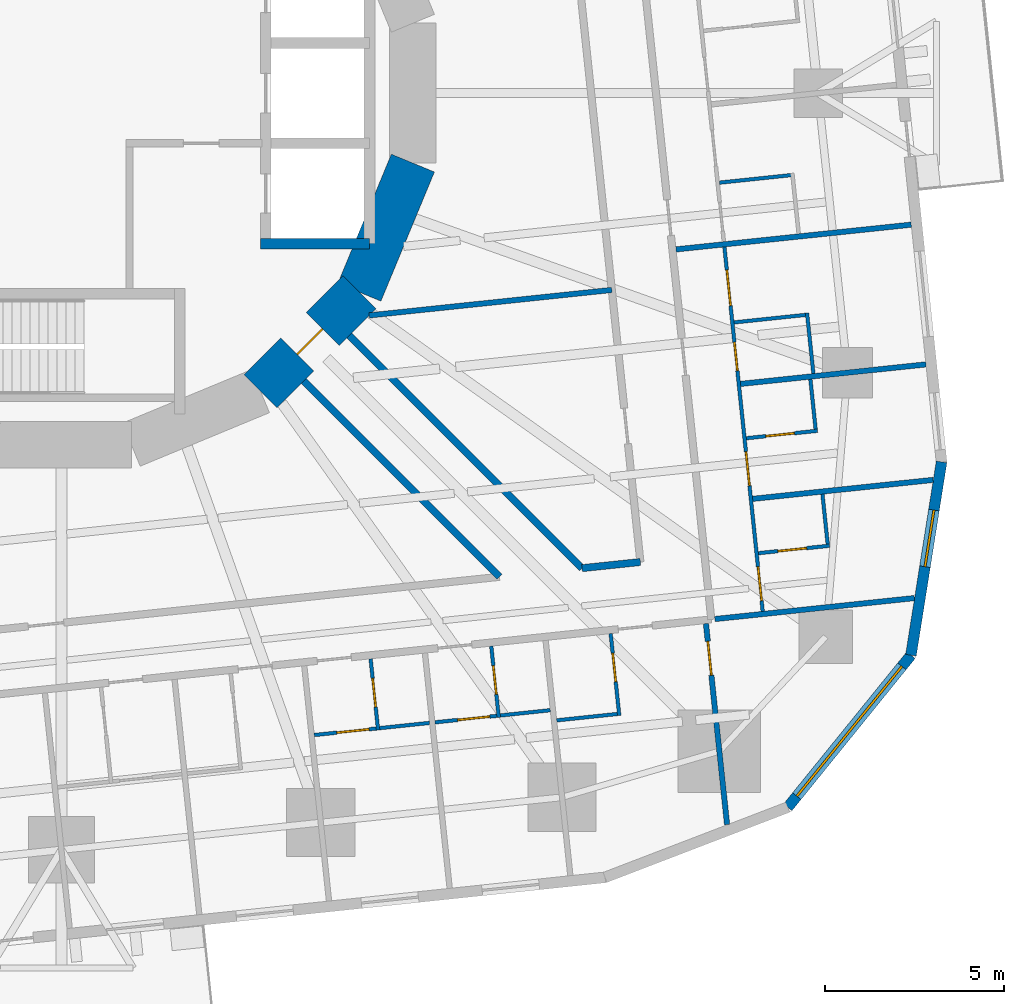
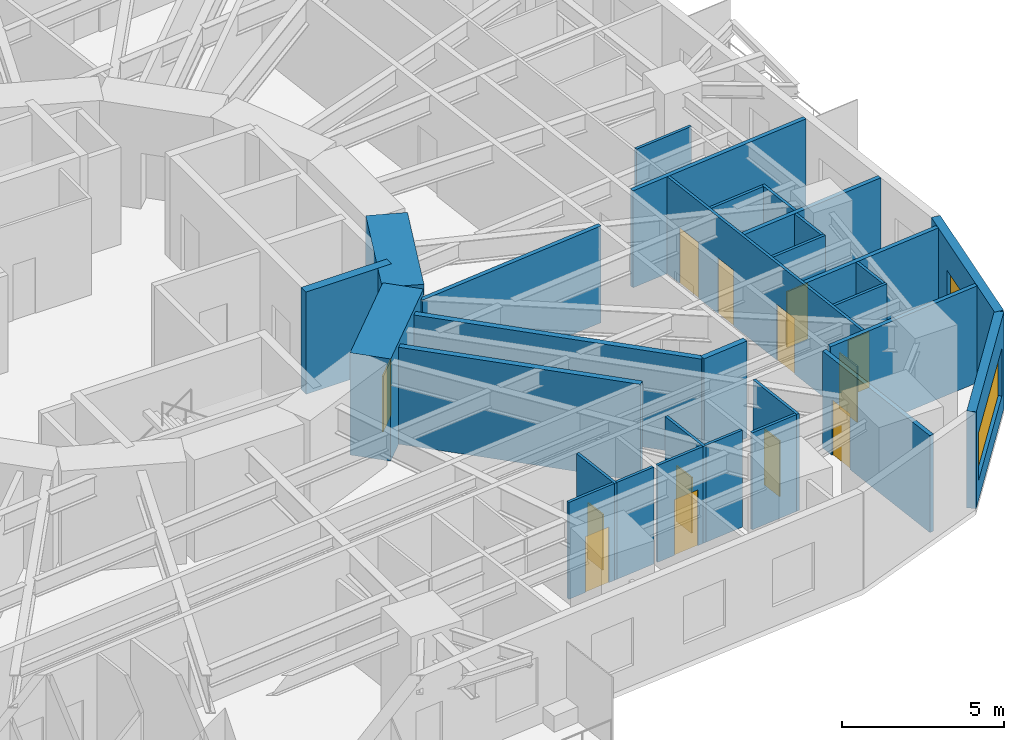
# One storey, part 8 of 15: 30 walls, 13 doors, 2 windows, 15 openings.
"""IFC4 building model written with IfcOpenShell, lengths in metres."""

from ifc_helpers import new_model, si_unit, direction, frame, frame_2d, origin, place, context, subcontext, project, spatial, rectangle, extrude, material, layer, layer_set, type_object, element, fill, save


model = new_model("IFC4")

# Units and contexts
model_context = context("Model", 3, precision=1e-05, world=origin(), true_north=direction((0.0, 1.0)))
body_context = subcontext(model_context, "Body", "Model", "MODEL_VIEW")
ifc_project = project(units=[si_unit("LENGTHUNIT", "METRE"), si_unit("AREAUNIT", "SQUARE_METRE"), si_unit("VOLUMEUNIT", "CUBIC_METRE"), si_unit("PLANEANGLEUNIT", "RADIAN"), si_unit("MASSUNIT", "GRAM", prefix="KILO")], contexts=[model_context])

# Site, building, storey
site_placement = place(None, origin())
site = spatial("IfcSite", under=ifc_project, at=site_placement, CompositionType="ELEMENT")
building_placement = place(site_placement, origin())
building = spatial("IfcBuilding", under=site, at=building_placement, Name="Nakasero Lantern House", CompositionType="ELEMENT")
storey_placement = place(building_placement, frame((0.0, 0.0, 68.199951171875)))
storey = spatial("IfcBuildingStorey", under=building, at=storey_placement, Name="L16", CompositionType="ELEMENT", Elevation=68.199951171875)

# Wall, openings, doors
ifc_material_1 = material(Name="Blockwork", Category="masonry")
ifc_layer_1 = layer(ifc_material_1, 0.10009765625)
ifc_layer_set_1 = layer_set([ifc_layer_1], Name="Cluster hall wall 100")
wall_type_1 = type_object("IfcWallType", Name="Cluster hall wall 100", PredefinedType="PARTITIONING", material=ifc_layer_set_1)
wall_1_placement = place(storey_placement, frame((19.568603515625, -14.458740234375, 0.0), z_axis=(0.0, 0.0, 1.0), x_axis=(-0.104541804513, 0.994520493056, 0.0)))
wall_1 = element("IfcWall", 1, at=wall_1_placement, inside=storey, type_object=wall_type_1, Name="Cluster hall wall L16 HW0-0", PredefinedType="PARTITIONING", context=body_context, shape_type="SweptSolid", body=[
    extrude(rectangle(XDim=10.2216796875, YDim=0.10009765625, at=frame_2d((5.11083984375, 0.0))), origin(), (0.0, 0.0, 1.0), 3.650146484375),
])
opening_1_placement = place(wall_1_placement, frame((8.57568359375, 0.0, 0.0)))
opening_1 = element("IfcOpeningElement", 2, at=opening_1_placement, cuts=wall_1, Name="Opening D03", PredefinedType="OPENING", context=body_context, shape_type="SweptSolid", body=[
    extrude(rectangle(XDim=1.0, YDim=2.10009765625, at=frame_2d((0.5, 1.050048828125))), frame((0.0, 0.070068359375, 0.0), z_axis=(0.0, -1.0, 0.0), x_axis=(1.0, 0.0, 0.0)), (0.0, 0.0, 1.0), 0.14013671875),
])
opening_2_placement = place(wall_1_placement, frame((6.75048828125, 0.0, 0.0)))
opening_2 = element("IfcOpeningElement", 3, at=opening_2_placement, cuts=wall_1, Name="Opening D02", PredefinedType="OPENING", context=body_context, shape_type="SweptSolid", body=[
    extrude(rectangle(XDim=0.800048828125, YDim=2.10009765625, at=frame_2d((0.39990234375, 1.050048828125))), frame((0.0, 0.070068359375, 0.0), z_axis=(0.0, -1.0, 0.0), x_axis=(1.0, 0.0, 0.0)), (0.0, 0.0, 1.0), 0.14013671875),
])
opening_3_placement = place(wall_1_placement, frame((0.300048828125, 0.0, 0.0)))
opening_3 = element("IfcOpeningElement", 4, at=opening_3_placement, cuts=wall_1, Name="Opening D01", PredefinedType="OPENING", context=body_context, shape_type="SweptSolid", body=[
    extrude(rectangle(XDim=0.949951171875, YDim=2.10009765625, at=frame_2d((0.47509765625, 1.050048828125))), frame((0.0, 0.070068359375, 0.0), z_axis=(0.0, -1.0, 0.0), x_axis=(1.0, 0.0, 0.0)), (0.0, 0.0, 1.0), 0.14013671875),
])
opening_4_placement = place(wall_1_placement, frame((3.525390625, 0.0, 0.0)))
opening_4 = element("IfcOpeningElement", 5, at=opening_4_placement, cuts=wall_1, Name="Opening D01", PredefinedType="OPENING", context=body_context, shape_type="SweptSolid", body=[
    extrude(rectangle(XDim=0.949951171875, YDim=2.10009765625, at=frame_2d((0.47509765625, 1.050048828125))), frame((0.0, 0.070068359375, 0.0), z_axis=(0.0, -1.0, 0.0), x_axis=(1.0, 0.0, 0.0)), (0.0, 0.0, 1.0), 0.14013671875),
])
ifc_material_2 = material(Name="Timber C24", Category="wood")
door_type_1 = type_object("IfcDoorType", Name="Bedroom door FD30S 950", OperationType="SINGLE_SWING_LEFT", PredefinedType="DOOR", material=ifc_material_2)
door_1_placement = place(opening_3_placement, origin())
door_1 = element("IfcDoor", 6, at=door_1_placement, inside=storey, type_object=door_type_1, Name="Door L16 D0-00", OperationType="SINGLE_SWING_LEFT", OverallHeight=2.10009765625, OverallWidth=0.949951171875, PredefinedType="DOOR", context=body_context, shape_type="SweptSolid", body=[
    extrude(rectangle(XDim=0.949951171875, YDim=2.10009765625, at=frame_2d((0.47509765625, 1.050048828125))), frame((0.0, 0.02490234375, 0.0), z_axis=(0.0, -1.0, 0.0), x_axis=(1.0, 0.0, 0.0)), (0.0, 0.0, 1.0), 0.050048828125),
])
fill(opening_3, door_1)
door_2_placement = place(opening_4_placement, origin())
door_2 = element("IfcDoor", 7, at=door_2_placement, inside=storey, type_object=door_type_1, Name="Door L16 D0-01", OperationType="SINGLE_SWING_LEFT", OverallHeight=2.10009765625, OverallWidth=0.949951171875, PredefinedType="DOOR", context=body_context, shape_type="SweptSolid", body=[
    extrude(rectangle(XDim=0.949951171875, YDim=2.10009765625, at=frame_2d((0.47509765625, 1.050048828125))), frame((0.0, 0.02490234375, 0.0), z_axis=(0.0, -1.0, 0.0), x_axis=(1.0, 0.0, 0.0)), (0.0, 0.0, 1.0), 0.050048828125),
])
fill(opening_4, door_2)
ifc_material_3 = material(Name="Timber C24", Category="wood")
door_type_2 = type_object("IfcDoorType", Name="En-suite door 800", OperationType="SINGLE_SWING_RIGHT", PredefinedType="DOOR", material=ifc_material_3)
door_3_placement = place(opening_2_placement, origin())
door_3 = element("IfcDoor", 8, at=door_3_placement, inside=storey, type_object=door_type_2, Name="Door L16 DSH0-0", OperationType="SINGLE_SWING_RIGHT", OverallHeight=2.10009765625, OverallWidth=0.800048828125, PredefinedType="DOOR", context=body_context, shape_type="SweptSolid", body=[
    extrude(rectangle(XDim=0.800048828125, YDim=2.10009765625, at=frame_2d((0.39990234375, 1.050048828125))), frame((0.0, 0.02490234375, 0.0), z_axis=(0.0, -1.0, 0.0), x_axis=(1.0, 0.0, 0.0)), (0.0, 0.0, 1.0), 0.050048828125),
])
fill(opening_2, door_3)
ifc_material_4 = material(Name="Timber C24", Category="wood")
door_type_3 = type_object("IfcDoorType", Name="Lounge door FD30S 1000", OperationType="SINGLE_SWING_LEFT", PredefinedType="DOOR", material=ifc_material_4)
door_4_placement = place(opening_1_placement, origin())
door_4 = element("IfcDoor", 9, at=door_4_placement, inside=storey, type_object=door_type_3, Name="Door L16 DH0-0", OperationType="SINGLE_SWING_RIGHT", OverallHeight=2.10009765625, OverallWidth=1.0, PredefinedType="DOOR", context=body_context, shape_type="SweptSolid", body=[
    extrude(rectangle(XDim=1.0, YDim=2.10009765625, at=frame_2d((0.5, 1.050048828125))), frame((0.0, 0.02490234375, 0.0), z_axis=(0.0, -1.0, 0.0), x_axis=(1.0, 0.0, 0.0)), (0.0, 0.0, 1.0), 0.050048828125),
])
fill(opening_1, door_4)

# Wall
ifc_material_5 = material(Name="Concrete C50/60", Category="concrete")
ifc_layer_2 = layer(ifc_material_5, 0.300048828125)
ifc_layer_set_2 = layer_set([ifc_layer_2], Name="Core inner wall 300")
wall_type_2 = type_object("IfcWallType", Name="Core inner wall 300", PredefinedType="SHEAR", material=ifc_layer_set_2)
wall_2_placement = place(storey_placement, frame((5.550048828125, -4.199951171875, 0.0), z_axis=(0.0, 0.0, 1.0), x_axis=(1.0, 0.0, 0.0)))
element("IfcWall", 10, at=wall_2_placement, inside=storey, type_object=wall_type_2, Name="Core inner wall L16 LES", PredefinedType="SHEAR", context=body_context, shape_type="SweptSolid", body=[
    extrude(rectangle(XDim=3.050048828125, YDim=0.300048828125, at=frame_2d((1.52490234375, 0.0))), origin(), (0.0, 0.0, 1.0), 3.85009765625),
])

# Wall, opening, door
ifc_material_6 = material(Name="Concrete C50/60", Category="concrete")
ifc_layer_3 = layer(ifc_material_6, 1.300048828125)
ifc_layer_set_3 = layer_set([ifc_layer_3], Name="Core wall 1300")
wall_type_3 = type_object("IfcWallType", Name="Core wall 1300", PredefinedType="SHEAR", material=ifc_layer_set_3)
wall_3_placement = place(storey_placement, frame((5.5556640625, -8.314697265625, 0.0), z_axis=(0.0, 0.0, 1.0), x_axis=(0.707106781187, 0.707106781187, 0.0)))
wall_3 = element("IfcWall", 11, at=wall_3_placement, inside=storey, type_object=wall_type_3, Name="Core wall L16 facet 14", PredefinedType="SHEAR", context=body_context, shape_type="SweptSolid", body=[
    extrude(rectangle(XDim=3.90185546875, YDim=1.300048828125, at=frame_2d((1.950927734375, 0.0))), origin(), (0.0, 0.0, 1.0), 3.85009765625),
])
opening_5_placement = place(wall_3_placement, frame((1.450927734375, 0.0, 0.0)))
opening_5 = element("IfcOpeningElement", 12, at=opening_5_placement, cuts=wall_3, Name="Opening D05", PredefinedType="OPENING", context=body_context, shape_type="SweptSolid", body=[
    extrude(rectangle(XDim=1.0, YDim=2.10009765625, at=frame_2d((0.5, 1.050048828125))), frame((0.0, 0.669921875, 0.0), z_axis=(0.0, -1.0, 0.0), x_axis=(1.0, 0.0, 0.0)), (0.0, 0.0, 1.0), 1.340087890625),
])
ifc_material_7 = material(Name="Timber C24", Category="wood")
door_type_4 = type_object("IfcDoorType", Name="Core door FD60S 1000", OperationType="SINGLE_SWING_LEFT", PredefinedType="DOOR", material=ifc_material_7)
door_5_placement = place(opening_5_placement, origin())
door_5 = element("IfcDoor", 13, at=door_5_placement, inside=storey, type_object=door_type_4, Name="Door L16 D-CORE14", OperationType="SINGLE_SWING_LEFT", OverallHeight=2.10009765625, OverallWidth=1.0, PredefinedType="DOOR", context=body_context, shape_type="SweptSolid", body=[
    extrude(rectangle(XDim=1.0, YDim=2.10009765625, at=frame_2d((0.5, 1.050048828125))), frame((0.0, 0.02490234375, 0.0), z_axis=(0.0, -1.0, 0.0), x_axis=(1.0, 0.0, 0.0)), (0.0, 0.0, 1.0), 0.050048828125),
])
fill(opening_5, door_5)

# Walls
wall_4_placement = place(storey_placement, frame((8.314697265625, -5.5556640625, 0.0), z_axis=(0.0, 0.0, 1.0), x_axis=(0.382690736062, 0.923876507187, 0.0)))
element("IfcWall", 14, at=wall_4_placement, inside=storey, type_object=wall_type_3, Name="Core wall L16 facet 15", PredefinedType="SHEAR", context=body_context, shape_type="SweptSolid", body=[
    extrude(rectangle(XDim=3.90185546875, YDim=1.300048828125, at=frame_2d((1.950927734375, 0.0))), origin(), (0.0, 0.0, 1.0), 3.85009765625),
])
ifc_material_8 = material(Name="Blockwork", Category="masonry")
ifc_layer_4 = layer(ifc_material_8, 0.199951171875)
ifc_layer_set_4 = layer_set([ifc_layer_4], Name="Corridor wall 200")
wall_type_4 = type_object("IfcWallType", Name="Corridor wall 200", PredefinedType="PARTITIONING", material=ifc_layer_set_4)
wall_5_placement = place(storey_placement, frame((14.52685546875, -13.254150390625, 0.0), z_axis=(0.0, 0.0, 1.0), x_axis=(0.99452748025, 0.104475313001, 0.0)))
element("IfcWall", 15, at=wall_5_placement, inside=storey, type_object=wall_type_4, Name="Corridor wall L16 IW3-1", PredefinedType="PARTITIONING", context=body_context, shape_type="SweptSolid", body=[
    extrude(rectangle(XDim=1.63818359375, YDim=0.199951171875, at=frame_2d((0.819091796875, 0.0))), origin(), (0.0, 0.0, 1.0), 3.650146484375),
])
wall_6_placement = place(storey_placement, frame((8.03125, -6.758544921875, 0.0), z_axis=(0.0, 0.0, 1.0), x_axis=(0.707106781187, -0.707106781187, 0.0)))
element("IfcWall", 16, at=wall_6_placement, inside=storey, type_object=wall_type_4, Name="Corridor wall L16 PS14a", PredefinedType="PARTITIONING", context=body_context, shape_type="SweptSolid", body=[
    extrude(rectangle(XDim=9.186279296875, YDim=0.199951171875, at=frame_2d((4.59326171875, 0.0))), origin(), (0.0, 0.0, 1.0), 3.650146484375),
])
wall_7_placement = place(storey_placement, frame((6.758544921875, -8.03125, 0.0), z_axis=(0.0, 0.0, 1.0), x_axis=(0.707090986447, -0.707122575573, 0.0)))
element("IfcWall", 17, at=wall_7_placement, inside=storey, type_object=wall_type_4, Name="Corridor wall L16 PS14b", PredefinedType="PARTITIONING", context=body_context, shape_type="SweptSolid", body=[
    extrude(rectangle(XDim=7.728515625, YDim=0.199951171875, at=frame_2d((3.8642578125, 0.0))), origin(), (0.0, 0.0, 1.0), 3.650146484375),
])
ifc_material_9 = material(Name="Blockwork", Category="masonry")
ifc_layer_5 = layer(ifc_material_9, 0.10009765625)
ifc_layer_set_5 = layer_set([ifc_layer_5], Name="En-suite wall 100")
wall_type_5 = type_object("IfcWallType", Name="En-suite wall 100", PredefinedType="PARTITIONING", material=ifc_layer_set_5)
wall_8_placement = place(storey_placement, frame((18.771484375, -6.397216796875, 0.0), z_axis=(0.0, 0.0, 1.0), x_axis=(0.994523910136, 0.104509292252, 0.0)))
element("IfcWall", 18, at=wall_8_placement, inside=storey, type_object=wall_type_5, Name="En-suite wall L16 SS0-0", PredefinedType="PARTITIONING", context=body_context, shape_type="SweptSolid", body=[
    extrude(rectangle(XDim=2.10009765625, YDim=0.10009765625, at=frame_2d((1.050048828125, 0.0))), origin(), (0.0, 0.0, 1.0), 3.650146484375),
])
wall_9_placement = place(storey_placement, frame((20.982666015625, -7.823974609375, 0.0), z_axis=(0.0, 0.0, 1.0), x_axis=(-0.104408173862, 0.994534530939, 0.0)))
element("IfcWall", 19, at=wall_9_placement, inside=storey, type_object=wall_type_5, Name="En-suite wall L16 SE0-0", PredefinedType="PARTITIONING", context=body_context, shape_type="SweptSolid", body=[
    extrude(rectangle(XDim=1.699951171875, YDim=0.10009765625, at=frame_2d((0.85009765625, 0.0))), origin(), (0.0, 0.0, 1.0), 3.650146484375),
])
wall_10_placement = place(storey_placement, frame((18.361572265625, -2.49755859375, 0.0), z_axis=(0.0, 0.0, 1.0), x_axis=(0.994523910136, 0.104509292252, 0.0)))
element("IfcWall", 20, at=wall_10_placement, inside=storey, type_object=wall_type_5, Name="En-suite wall L16 SS0-1", PredefinedType="PARTITIONING", context=body_context, shape_type="SweptSolid", body=[
    extrude(rectangle(XDim=2.10009765625, YDim=0.10009765625, at=frame_2d((1.050048828125, 0.0))), origin(), (0.0, 0.0, 1.0), 3.650146484375),
])

# Wall, opening, door
wall_11_placement = place(storey_placement, frame((19.448486328125, -12.837158203125, 0.0), z_axis=(0.0, 0.0, 1.0), x_axis=(0.99452550138, 0.104494148666, 0.0)))
wall_11 = element("IfcWall", 21, at=wall_11_placement, inside=storey, type_object=wall_type_5, Name="En-suite wall L16 ES0-00", PredefinedType="PARTITIONING", context=body_context, shape_type="SweptSolid", body=[
    extrude(rectangle(XDim=2.0, YDim=0.10009765625, at=frame_2d((1.0, 0.0))), origin(), (0.0, 0.0, 1.0), 3.650146484375),
])
opening_6_placement = place(wall_11_placement, frame((0.550048828125, 0.0, 0.0)))
opening_6 = element("IfcOpeningElement", 22, at=opening_6_placement, cuts=wall_11, Name="Opening D02", PredefinedType="OPENING", context=body_context, shape_type="SweptSolid", body=[
    extrude(rectangle(XDim=0.800048828125, YDim=2.10009765625, at=frame_2d((0.39990234375, 1.050048828125))), frame((0.0, 0.070068359375, 0.0), z_axis=(0.0, -1.0, 0.0), x_axis=(1.0, 0.0, 0.0)), (0.0, 0.0, 1.0), 0.14013671875),
])
door_6_placement = place(opening_6_placement, origin())
door_6 = element("IfcDoor", 23, at=door_6_placement, inside=storey, type_object=door_type_2, Name="Door L16 DE0-00", OperationType="SINGLE_SWING_LEFT", OverallHeight=2.10009765625, OverallWidth=0.800048828125, PredefinedType="DOOR", context=body_context, shape_type="SweptSolid", body=[
    extrude(rectangle(XDim=0.800048828125, YDim=2.10009765625, at=frame_2d((0.39990234375, 1.050048828125))), frame((0.0, 0.02490234375, 0.0), z_axis=(0.0, -1.0, 0.0), x_axis=(1.0, 0.0, 0.0)), (0.0, 0.0, 1.0), 0.050048828125),
])
fill(opening_6, door_6)

# Wall
wall_12_placement = place(storey_placement, frame((21.382568359375, -12.58349609375, 0.0), z_axis=(0.0, 0.0, 1.0), x_axis=(-0.104630319263, 0.994511184598, 0.0)))
element("IfcWall", 24, at=wall_12_placement, inside=storey, type_object=wall_type_5, Name="En-suite wall L16 EE0-00", PredefinedType="PARTITIONING", context=body_context, shape_type="SweptSolid", body=[
    extrude(rectangle(XDim=1.39990234375, YDim=0.10009765625, at=frame_2d((0.699951171875, 0.0))), origin(), (0.0, 0.0, 1.0), 3.650146484375),
])

# Wall, opening, door
wall_13_placement = place(storey_placement, frame((19.111328125, -9.62939453125, 0.0), z_axis=(0.0, 0.0, 1.0), x_axis=(0.99452550138, 0.104494148666, 0.0)))
wall_13 = element("IfcWall", 25, at=wall_13_placement, inside=storey, type_object=wall_type_5, Name="En-suite wall L16 ES0-01", PredefinedType="PARTITIONING", context=body_context, shape_type="SweptSolid", body=[
    extrude(rectangle(XDim=2.0, YDim=0.10009765625, at=frame_2d((1.0, 0.0))), origin(), (0.0, 0.0, 1.0), 3.650146484375),
])
opening_7_placement = place(wall_13_placement, frame((0.550048828125, 0.0, 0.0)))
opening_7 = element("IfcOpeningElement", 26, at=opening_7_placement, cuts=wall_13, Name="Opening D02", PredefinedType="OPENING", context=body_context, shape_type="SweptSolid", body=[
    extrude(rectangle(XDim=0.800048828125, YDim=2.10009765625, at=frame_2d((0.39990234375, 1.050048828125))), frame((0.0, 0.070068359375, 0.0), z_axis=(0.0, -1.0, 0.0), x_axis=(1.0, 0.0, 0.0)), (0.0, 0.0, 1.0), 0.14013671875),
])
door_7_placement = place(opening_7_placement, origin())
door_7 = element("IfcDoor", 27, at=door_7_placement, inside=storey, type_object=door_type_2, Name="Door L16 DE0-01", OperationType="SINGLE_SWING_LEFT", OverallHeight=2.10009765625, OverallWidth=0.800048828125, PredefinedType="DOOR", context=body_context, shape_type="SweptSolid", body=[
    extrude(rectangle(XDim=0.800048828125, YDim=2.10009765625, at=frame_2d((0.39990234375, 1.050048828125))), frame((0.0, 0.02490234375, 0.0), z_axis=(0.0, -1.0, 0.0), x_axis=(1.0, 0.0, 0.0)), (0.0, 0.0, 1.0), 0.050048828125),
])
fill(opening_7, door_7)

# Wall
wall_14_placement = place(storey_placement, frame((21.04541015625, -9.3759765625, 0.0), z_axis=(0.0, 0.0, 1.0), x_axis=(-0.104630319263, 0.994511184598, 0.0)))
element("IfcWall", 28, at=wall_14_placement, inside=storey, type_object=wall_type_5, Name="En-suite wall L16 EE0-01", PredefinedType="PARTITIONING", context=body_context, shape_type="SweptSolid", body=[
    extrude(rectangle(XDim=1.39990234375, YDim=0.10009765625, at=frame_2d((0.699951171875, 0.0))), origin(), (0.0, 0.0, 1.0), 3.650146484375),
])

# Wall, opening, door
wall_15_placement = place(storey_placement, frame((8.627685546875, -15.78466796875, 0.0), z_axis=(0.0, 0.0, 1.0), x_axis=(0.104614886044, -0.994512808172, 0.0)))
wall_15 = element("IfcWall", 29, at=wall_15_placement, inside=storey, type_object=wall_type_5, Name="En-suite wall L16 ES3-06", PredefinedType="PARTITIONING", context=body_context, shape_type="SweptSolid", body=[
    extrude(rectangle(XDim=2.0, YDim=0.10009765625, at=frame_2d((1.0, 0.0))), origin(), (0.0, 0.0, 1.0), 3.650146484375),
])
opening_8_placement = place(wall_15_placement, frame((0.550048828125, 0.0, 0.0)))
opening_8 = element("IfcOpeningElement", 30, at=opening_8_placement, cuts=wall_15, Name="Opening D02", PredefinedType="OPENING", context=body_context, shape_type="SweptSolid", body=[
    extrude(rectangle(XDim=0.800048828125, YDim=2.10009765625, at=frame_2d((0.39990234375, 1.050048828125))), frame((0.0, 0.070068359375, 0.0), z_axis=(0.0, -1.0, 0.0), x_axis=(1.0, 0.0, 0.0)), (0.0, 0.0, 1.0), 0.14013671875),
])
door_8_placement = place(opening_8_placement, origin())
door_8 = element("IfcDoor", 31, at=door_8_placement, inside=storey, type_object=door_type_2, Name="Door L16 DE3-06", OperationType="SINGLE_SWING_LEFT", OverallHeight=2.10009765625, OverallWidth=0.800048828125, PredefinedType="DOOR", context=body_context, shape_type="SweptSolid", body=[
    extrude(rectangle(XDim=0.800048828125, YDim=2.10009765625, at=frame_2d((0.39990234375, 1.050048828125))), frame((0.0, 0.02490234375, 0.0), z_axis=(0.0, -1.0, 0.0), x_axis=(1.0, 0.0, 0.0)), (0.0, 0.0, 1.0), 0.050048828125),
])
fill(opening_8, door_8)

# Wall
wall_16_placement = place(storey_placement, frame((8.88134765625, -17.71875, 0.0), z_axis=(0.0, 0.0, 1.0), x_axis=(0.994511184598, 0.104630319263, 0.0)))
element("IfcWall", 32, at=wall_16_placement, inside=storey, type_object=wall_type_5, Name="En-suite wall L16 EE3-06", PredefinedType="PARTITIONING", context=body_context, shape_type="SweptSolid", body=[
    extrude(rectangle(XDim=1.39990234375, YDim=0.10009765625, at=frame_2d((0.699951171875, 0.0))), origin(), (0.0, 0.0, 1.0), 3.650146484375),
])

# Wall, opening, door
wall_17_placement = place(storey_placement, frame((11.994873046875, -15.4306640625, 0.0), z_axis=(0.0, 0.0, 1.0), x_axis=(0.104494148666, -0.99452550138, 0.0)))
wall_17 = element("IfcWall", 33, at=wall_17_placement, inside=storey, type_object=wall_type_5, Name="En-suite wall L16 ES3-07", PredefinedType="PARTITIONING", context=body_context, shape_type="SweptSolid", body=[
    extrude(rectangle(XDim=2.0, YDim=0.10009765625, at=frame_2d((1.0, 0.0))), origin(), (0.0, 0.0, 1.0), 3.650146484375),
])
opening_9_placement = place(wall_17_placement, frame((0.550048828125, 0.0, 0.0)))
opening_9 = element("IfcOpeningElement", 34, at=opening_9_placement, cuts=wall_17, Name="Opening D02", PredefinedType="OPENING", context=body_context, shape_type="SweptSolid", body=[
    extrude(rectangle(XDim=0.800048828125, YDim=2.10009765625, at=frame_2d((0.39990234375, 1.050048828125))), frame((0.0, 0.070068359375, 0.0), z_axis=(0.0, -1.0, 0.0), x_axis=(1.0, 0.0, 0.0)), (0.0, 0.0, 1.0), 0.14013671875),
])
door_9_placement = place(opening_9_placement, origin())
door_9 = element("IfcDoor", 35, at=door_9_placement, inside=storey, type_object=door_type_2, Name="Door L16 DE3-07", OperationType="SINGLE_SWING_LEFT", OverallHeight=2.10009765625, OverallWidth=0.800048828125, PredefinedType="DOOR", context=body_context, shape_type="SweptSolid", body=[
    extrude(rectangle(XDim=0.800048828125, YDim=2.10009765625, at=frame_2d((0.39990234375, 1.050048828125))), frame((0.0, 0.02490234375, 0.0), z_axis=(0.0, -1.0, 0.0), x_axis=(1.0, 0.0, 0.0)), (0.0, 0.0, 1.0), 0.050048828125),
])
fill(opening_9, door_9)

# Wall
wall_18_placement = place(storey_placement, frame((12.248291015625, -17.36474609375, 0.0), z_axis=(0.0, 0.0, 1.0), x_axis=(0.994529315664, 0.104457839748, 0.0)))
element("IfcWall", 36, at=wall_18_placement, inside=storey, type_object=wall_type_5, Name="En-suite wall L16 EE3-07", PredefinedType="PARTITIONING", context=body_context, shape_type="SweptSolid", body=[
    extrude(rectangle(XDim=1.39990234375, YDim=0.10009765625, at=frame_2d((0.699951171875, 0.0))), origin(), (0.0, 0.0, 1.0), 3.650146484375),
])

# Wall, opening, door
wall_19_placement = place(storey_placement, frame((15.326416015625, -15.08056640625, 0.0), z_axis=(0.0, 0.0, 1.0), x_axis=(0.104557694553, -0.994518822602, 0.0)))
wall_19 = element("IfcWall", 37, at=wall_19_placement, inside=storey, type_object=wall_type_5, Name="En-suite wall L16 ES3-08", PredefinedType="PARTITIONING", context=body_context, shape_type="SweptSolid", body=[
    extrude(rectangle(XDim=2.300048828125, YDim=0.10009765625, at=frame_2d((1.14990234375, 0.0))), origin(), (0.0, 0.0, 1.0), 3.650146484375),
])
opening_10_placement = place(wall_19_placement, frame((0.550048828125, 0.0, 0.0)))
opening_10 = element("IfcOpeningElement", 38, at=opening_10_placement, cuts=wall_19, Name="Opening D02", PredefinedType="OPENING", context=body_context, shape_type="SweptSolid", body=[
    extrude(rectangle(XDim=0.800048828125, YDim=2.10009765625, at=frame_2d((0.39990234375, 1.050048828125))), frame((0.0, 0.070068359375, 0.0), z_axis=(0.0, -1.0, 0.0), x_axis=(1.0, 0.0, 0.0)), (0.0, 0.0, 1.0), 0.14013671875),
])
door_10_placement = place(opening_10_placement, origin())
door_10 = element("IfcDoor", 39, at=door_10_placement, inside=storey, type_object=door_type_2, Name="Door L16 DE3-08", OperationType="SINGLE_SWING_LEFT", OverallHeight=2.10009765625, OverallWidth=0.800048828125, PredefinedType="DOOR", context=body_context, shape_type="SweptSolid", body=[
    extrude(rectangle(XDim=0.800048828125, YDim=2.10009765625, at=frame_2d((0.39990234375, 1.050048828125))), frame((0.0, 0.02490234375, 0.0), z_axis=(0.0, -1.0, 0.0), x_axis=(1.0, 0.0, 0.0)), (0.0, 0.0, 1.0), 0.050048828125),
])
fill(opening_10, door_10)

# Wall
wall_20_placement = place(storey_placement, frame((13.8212890625, -17.501220703125, 0.0), z_axis=(0.0, 0.0, 1.0), x_axis=(0.994519608382, 0.104550220202, 0.0)))
element("IfcWall", 40, at=wall_20_placement, inside=storey, type_object=wall_type_5, Name="En-suite wall L16 EE3-08", PredefinedType="PARTITIONING", context=body_context, shape_type="SweptSolid", body=[
    extrude(rectangle(XDim=1.699951171875, YDim=0.10009765625, at=frame_2d((0.85009765625, 0.0))), origin(), (0.0, 0.0, 1.0), 3.650146484375),
])

# Wall, opening, door
wall_21_placement = place(storey_placement, frame((7.055908203125, -17.91064453125, 0.0), z_axis=(0.0, 0.0, 1.0), x_axis=(0.99452316669, 0.10451636674, 0.0)))
wall_21 = element("IfcWall", 41, at=wall_21_placement, inside=storey, type_object=wall_type_5, Name="En-suite wall L16 EL3-06", PredefinedType="PARTITIONING", context=body_context, shape_type="SweptSolid", body=[
    extrude(rectangle(XDim=1.735595703125, YDim=0.10009765625, at=frame_2d((0.86767578125, 0.0))), origin(), (0.0, 0.0, 1.0), 3.650146484375),
])
opening_11_placement = place(wall_21_placement, frame((0.635498046875, 0.0, 0.0)))
opening_11 = element("IfcOpeningElement", 42, at=opening_11_placement, cuts=wall_21, Name="Opening D17", PredefinedType="OPENING", context=body_context, shape_type="SweptSolid", body=[
    extrude(rectangle(XDim=0.89990234375, YDim=2.10009765625, at=frame_2d((0.449951171875, 1.050048828125))), frame((0.0, 0.070068359375, 0.0), z_axis=(0.0, -1.0, 0.0), x_axis=(1.0, 0.0, 0.0)), (0.0, 0.0, 1.0), 0.14013671875),
])
ifc_material_10 = material(Name="Timber C24", Category="wood")
door_type_5 = type_object("IfcDoorType", Name="Bedroom door FD30S 900", OperationType="SINGLE_SWING_LEFT", PredefinedType="DOOR", material=ifc_material_10)
door_11_placement = place(opening_11_placement, origin())
door_11 = element("IfcDoor", 43, at=door_11_placement, inside=storey, type_object=door_type_5, Name="Door L16 DL3-06", OperationType="SINGLE_SWING_RIGHT", OverallHeight=2.10009765625, OverallWidth=0.89990234375, PredefinedType="DOOR", context=body_context, shape_type="SweptSolid", body=[
    extrude(rectangle(XDim=0.89990234375, YDim=2.10009765625, at=frame_2d((0.449951171875, 1.050048828125))), frame((0.0, 0.02490234375, 0.0), z_axis=(0.0, -1.0, 0.0), x_axis=(1.0, 0.0, 0.0)), (0.0, 0.0, 1.0), 0.050048828125),
])
fill(opening_11, door_11)

wall_22_placement = place(storey_placement, frame((10.4228515625, -17.556640625, 0.0), z_axis=(0.0, 0.0, 1.0), x_axis=(0.99452316669, 0.10451636674, 0.0)))
wall_22 = element("IfcWall", 44, at=wall_22_placement, inside=storey, type_object=wall_type_5, Name="En-suite wall L16 EL3-07", PredefinedType="PARTITIONING", context=body_context, shape_type="SweptSolid", body=[
    extrude(rectangle(XDim=1.735595703125, YDim=0.10009765625, at=frame_2d((0.86767578125, 0.0))), origin(), (0.0, 0.0, 1.0), 3.650146484375),
])
opening_12_placement = place(wall_22_placement, frame((0.635498046875, 0.0, 0.0)))
opening_12 = element("IfcOpeningElement", 45, at=opening_12_placement, cuts=wall_22, Name="Opening D17", PredefinedType="OPENING", context=body_context, shape_type="SweptSolid", body=[
    extrude(rectangle(XDim=0.89990234375, YDim=2.10009765625, at=frame_2d((0.449951171875, 1.050048828125))), frame((0.0, 0.070068359375, 0.0), z_axis=(0.0, -1.0, 0.0), x_axis=(1.0, 0.0, 0.0)), (0.0, 0.0, 1.0), 0.14013671875),
])
door_12_placement = place(opening_12_placement, origin())
door_12 = element("IfcDoor", 46, at=door_12_placement, inside=storey, type_object=door_type_5, Name="Door L16 DL3-07", OperationType="SINGLE_SWING_RIGHT", OverallHeight=2.10009765625, OverallWidth=0.89990234375, PredefinedType="DOOR", context=body_context, shape_type="SweptSolid", body=[
    extrude(rectangle(XDim=0.89990234375, YDim=2.10009765625, at=frame_2d((0.449951171875, 1.050048828125))), frame((0.0, 0.02490234375, 0.0), z_axis=(0.0, -1.0, 0.0), x_axis=(1.0, 0.0, 0.0)), (0.0, 0.0, 1.0), 0.050048828125),
])
fill(opening_12, door_12)

# Wall, opening, window
ifc_material_11 = material(Name="Aluminium rainscreen on blockwork", Category="masonry")
ifc_layer_6 = layer(ifc_material_11, 0.300048828125)
ifc_layer_set_6 = layer_set([ifc_layer_6], Name="Facade wall 300")
wall_type_6 = type_object("IfcWallType", Name="Facade wall 300", PredefinedType="SOLIDWALL", material=ifc_layer_set_6)
wall_23_placement = place(storey_placement, frame((20.26904296875, -19.927001953125, 0.0), z_axis=(0.0, 0.0, 1.0), x_axis=(0.629334543442, 0.777134500863, 0.0)))
wall_23 = element("IfcWall", 47, at=wall_23_placement, inside=storey, type_object=wall_type_6, Name="Facade wall L16 FW3C2", PredefinedType="SOLIDWALL", context=body_context, shape_type="SweptSolid", body=[
    extrude(rectangle(XDim=5.4609375, YDim=0.300048828125, at=frame_2d((2.73046875, 0.0))), origin(), (0.0, 0.0, 1.0), 3.650146484375),
])
opening_13_placement = place(wall_23_placement, frame((0.39990234375, 0.0, 0.75)))
opening_13 = element("IfcOpeningElement", 48, at=opening_13_placement, cuts=wall_23, Name="Opening W246", PredefinedType="OPENING", context=body_context, shape_type="SweptSolid", body=[
    extrude(rectangle(XDim=4.660888671875, YDim=1.800048828125, at=frame_2d((2.33056640625, 0.89990234375))), frame((0.0, 0.169921875, 0.0), z_axis=(0.0, -1.0, 0.0), x_axis=(1.0, 0.0, 0.0)), (0.0, 0.0, 1.0), 0.340087890625),
])
ifc_material_12 = material(Name="Aluminium 6063-T6 and glass", Category="aluminium")
window_type_1 = type_object("IfcWindowType", Name="Corner window 4661x1800", PartitioningType="SINGLE_PANEL", PredefinedType="WINDOW", material=ifc_material_12)
window_1_placement = place(opening_13_placement, origin())
window_1 = element("IfcWindow", 49, at=window_1_placement, inside=storey, type_object=window_type_1, Name="Window L16 WC3", OverallHeight=1.800048828125, OverallWidth=4.660888671875, PartitioningType="SINGLE_PANEL", PredefinedType="WINDOW", context=body_context, shape_type="SweptSolid", body=[
    extrude(rectangle(XDim=4.660888671875, YDim=1.800048828125, at=frame_2d((2.33056640625, 0.89990234375))), frame((0.0, 0.030029296875, 0.0), z_axis=(0.0, -1.0, 0.0), x_axis=(1.0, 0.0, 0.0)), (0.0, 0.0, 1.0), 0.06005859375),
])
fill(opening_13, window_1)

wall_24_placement = place(storey_placement, frame((23.705810546875, -15.68310546875, 0.0), z_axis=(0.0, 0.0, 1.0), x_axis=(0.156419383601, 0.987690729142, 0.0)))
wall_24 = element("IfcWall", 50, at=wall_24_placement, inside=storey, type_object=wall_type_6, Name="Facade wall L16 FW3C3", PredefinedType="SOLIDWALL", context=body_context, shape_type="SweptSolid", body=[
    extrude(rectangle(XDim=5.461181640625, YDim=0.300048828125, at=frame_2d((2.73046875, 0.0))), origin(), (0.0, 0.0, 1.0), 3.650146484375),
])
opening_14_placement = place(wall_24_placement, frame((2.5, 0.0, 0.75)))
opening_14 = element("IfcOpeningElement", 51, at=opening_14_placement, cuts=wall_24, Name="Opening W01", PredefinedType="OPENING", context=body_context, shape_type="SweptSolid", body=[
    extrude(rectangle(XDim=1.60009765625, YDim=1.800048828125, at=frame_2d((0.800048828125, 0.89990234375))), frame((0.0, 0.169921875, 0.0), z_axis=(0.0, -1.0, 0.0), x_axis=(1.0, 0.0, 0.0)), (0.0, 0.0, 1.0), 0.340087890625),
])
ifc_material_13 = material(Name="Aluminium 6063-T6 and glass", Category="aluminium")
window_type_2 = type_object("IfcWindowType", Name="Bedroom window 1600x1800", PartitioningType="SINGLE_PANEL", PredefinedType="WINDOW", material=ifc_material_13)
window_2_placement = place(opening_14_placement, origin())
window_2 = element("IfcWindow", 52, at=window_2_placement, inside=storey, type_object=window_type_2, Name="Window L16 WN0-00", OverallHeight=1.800048828125, OverallWidth=1.60009765625, PartitioningType="SINGLE_PANEL", PredefinedType="WINDOW", context=body_context, shape_type="SweptSolid", body=[
    extrude(rectangle(XDim=1.60009765625, YDim=1.800048828125, at=frame_2d((0.800048828125, 0.89990234375))), frame((0.0, 0.030029296875, 0.0), z_axis=(0.0, -1.0, 0.0), x_axis=(1.0, 0.0, 0.0)), (0.0, 0.0, 1.0), 0.06005859375),
])
fill(opening_14, window_2)

# Walls
ifc_material_14 = material(Name="Blockwork", Category="masonry")
ifc_layer_7 = layer(ifc_material_14, 0.14990234375)
ifc_layer_set_7 = layer_set([ifc_layer_7], Name="Party wall 150")
wall_type_7 = type_object("IfcWallType", Name="Party wall 150", PredefinedType="PARTITIONING", material=ifc_layer_set_7)
wall_25_placement = place(storey_placement, frame((18.23388671875, -14.674560546875, 0.0), z_axis=(0.0, 0.0, 1.0), x_axis=(0.994520498284, 0.104541754786, 0.0)))
element("IfcWall", 53, at=wall_25_placement, inside=storey, type_object=wall_type_7, Name="Party wall L16 PW0-00", PredefinedType="PARTITIONING", context=body_context, shape_type="SweptSolid", body=[
    extrude(rectangle(XDim=5.597900390625, YDim=0.14990234375, at=frame_2d((2.798828125, 0.0))), origin(), (0.0, 0.0, 1.0), 3.650146484375),
])
wall_26_placement = place(storey_placement, frame((19.2890625, -11.320556640625, 0.0), z_axis=(0.0, 0.0, 1.0), x_axis=(0.994518658271, 0.104559257608, 0.0)))
element("IfcWall", 54, at=wall_26_placement, inside=storey, type_object=wall_type_7, Name="Party wall L16 PW0-01", PredefinedType="PARTITIONING", context=body_context, shape_type="SweptSolid", body=[
    extrude(rectangle(XDim=5.062255859375, YDim=0.14990234375, at=frame_2d((2.53125, 0.0))), origin(), (0.0, 0.0, 1.0), 3.650146484375),
])
wall_27_placement = place(storey_placement, frame((18.951904296875, -8.11279296875, 0.0), z_axis=(0.0, 0.0, 1.0), x_axis=(0.994523446942, 0.104513699976, 0.0)))
element("IfcWall", 55, at=wall_27_placement, inside=storey, type_object=wall_type_7, Name="Party wall L16 PW0-02", PredefinedType="PARTITIONING", context=body_context, shape_type="SweptSolid", body=[
    extrude(rectangle(XDim=5.199951171875, YDim=0.14990234375, at=frame_2d((2.60009765625, 0.0))), origin(), (0.0, 0.0, 1.0), 3.650146484375),
])
wall_28_placement = place(storey_placement, frame((17.149658203125, -4.359619140625, 0.0), z_axis=(0.0, 0.0, 1.0), x_axis=(0.994520846901, 0.104538438287, 0.0)))
element("IfcWall", 56, at=wall_28_placement, inside=storey, type_object=wall_type_7, Name="Party wall L16 PW0-03", PredefinedType="PARTITIONING", context=body_context, shape_type="SweptSolid", body=[
    extrude(rectangle(XDim=6.599853515625, YDim=0.14990234375, at=frame_2d((3.2998046875, 0.0))), origin(), (0.0, 0.0, 1.0), 3.650146484375),
])

# Wall, opening, door
wall_29_placement = place(storey_placement, frame((17.9853515625, -14.801025390625, 0.0), z_axis=(0.0, 0.0, 1.0), x_axis=(0.104520320471, -0.994522751177, 0.0)))
wall_29 = element("IfcWall", 57, at=wall_29_placement, inside=storey, type_object=wall_type_7, Name="Party wall L16 PC3", PredefinedType="PARTITIONING", context=body_context, shape_type="SweptSolid", body=[
    extrude(rectangle(XDim=5.64111328125, YDim=0.14990234375, at=frame_2d((2.820556640625, 0.0))), origin(), (0.0, 0.0, 1.0), 3.650146484375),
])
opening_15_placement = place(wall_29_placement, frame((0.5, 0.0, 0.0)))
opening_15 = element("IfcOpeningElement", 58, at=opening_15_placement, cuts=wall_29, Name="Opening D01", PredefinedType="OPENING", context=body_context, shape_type="SweptSolid", body=[
    extrude(rectangle(XDim=0.949951171875, YDim=2.10009765625, at=frame_2d((0.47509765625, 1.050048828125))), frame((0.0, 0.094970703125, 0.0), z_axis=(0.0, -1.0, 0.0), x_axis=(1.0, 0.0, 0.0)), (0.0, 0.0, 1.0), 0.18994140625),
])
door_13_placement = place(opening_15_placement, origin())
door_13 = element("IfcDoor", 59, at=door_13_placement, inside=storey, type_object=door_type_1, Name="Door L16 DC3", OperationType="SINGLE_SWING_LEFT", OverallHeight=2.10009765625, OverallWidth=0.949951171875, PredefinedType="DOOR", context=body_context, shape_type="SweptSolid", body=[
    extrude(rectangle(XDim=0.949951171875, YDim=2.10009765625, at=frame_2d((0.47509765625, 1.050048828125))), frame((0.0, 0.02490234375, 0.0), z_axis=(0.0, -1.0, 0.0), x_axis=(1.0, 0.0, 0.0)), (0.0, 0.0, 1.0), 0.050048828125),
])
fill(opening_15, door_13)

# Wall
wall_30_placement = place(storey_placement, frame((8.5869140625, -6.20263671875, 0.0), z_axis=(0.0, 0.0, 1.0), x_axis=(0.99452214126, 0.104526123734, 0.0)))
element("IfcWall", 60, at=wall_30_placement, inside=storey, type_object=wall_type_7, Name="Party wall L16 IS1", PredefinedType="PARTITIONING", context=body_context, shape_type="SweptSolid", body=[
    extrude(rectangle(XDim=6.80859375, YDim=0.14990234375, at=frame_2d((3.404296875, 0.0))), origin(), (0.0, 0.0, 1.0), 3.650146484375),
])

save(model, "model.ifc")
